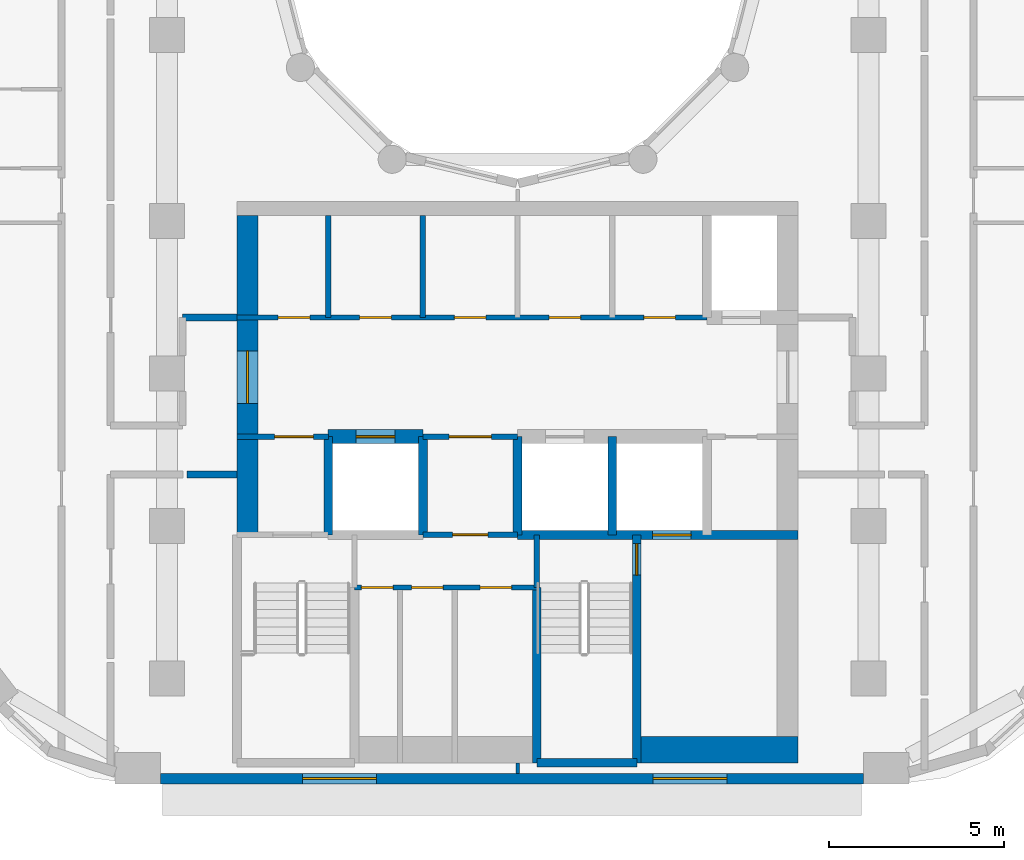
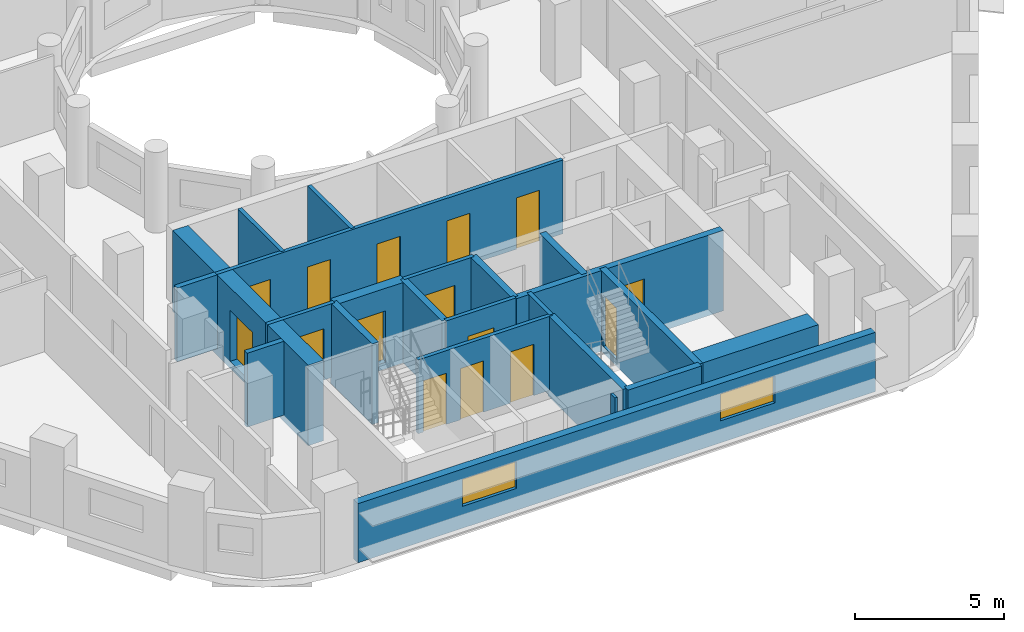
# One storey, part 3 of 14: 23 walls, 15 doors, 2 windows, 17 openings.
"""IFC4 building model written with IfcOpenShell, lengths in metres."""

from ifc_helpers import new_model, si_unit, direction, frame, frame_2d, origin, place, context, subcontext, project, spatial, rectangle, extrude, material, layer, layer_set, type_object, element, fill, save


model = new_model("IFC4")

# Units and contexts
model_context = context("Model", 3, precision=1e-05, world=origin(), true_north=direction((0.0, 1.0)))
body_context = subcontext(model_context, "Body", "Model", "MODEL_VIEW")
ifc_project = project(units=[si_unit("LENGTHUNIT", "METRE"), si_unit("AREAUNIT", "SQUARE_METRE"), si_unit("VOLUMEUNIT", "CUBIC_METRE"), si_unit("PLANEANGLEUNIT", "RADIAN"), si_unit("MASSUNIT", "GRAM", prefix="KILO")], contexts=[model_context])

# Site, building, storey
site_placement = place(None, origin())
site = spatial("IfcSite", under=ifc_project, at=site_placement, CompositionType="ELEMENT")
building_placement = place(site_placement, origin())
building = spatial("IfcBuilding", under=site, at=building_placement, Name="Nakaniwa Court", CompositionType="ELEMENT")
storey_placement = place(building_placement, frame((0.0, 0.0, 160.199951171875)))
storey = spatial("IfcBuildingStorey", under=building, at=storey_placement, Name="L42", CompositionType="ELEMENT", Elevation=160.199951171875)

# Walls
ifc_material_1 = material(Name="Acoustic double stud partition")
ifc_layer_1 = layer(ifc_material_1, 0.199951171875)
ifc_layer_set_1 = layer_set([ifc_layer_1], Name="Acoustic double stud partition")
wall_type_1 = type_object("IfcWallType", Name="Acoustic double stud partition 200", PredefinedType="PARTITIONING", material=ifc_layer_set_1)
wall_1_placement = place(storey_placement, frame((70.5771484375, 64.824951171875, 0.0), z_axis=(0.0, 0.0, 1.0), x_axis=(1.0, 0.0, 0.0)))
element("IfcWall", 1, at=wall_1_placement, inside=storey, type_object=wall_type_1, Name="Partition PW-082", PredefinedType="PARTITIONING", context=body_context, shape_type="SweptSolid", body=[
    extrude(rectangle(XDim=1.4228515625, YDim=0.199951171875, at=frame_2d((0.71142578125, 0.0))), origin(), (0.0, 0.0, 1.0), 3.025146484375),
])
wall_2_placement = place(storey_placement, frame((70.449951171875, 69.300048828125, 0.0), z_axis=(0.0, 0.0, 1.0), x_axis=(1.0, 0.0, 0.0)))
element("IfcWall", 2, at=wall_2_placement, inside=storey, type_object=wall_type_1, Name="Partition PW-086", PredefinedType="PARTITIONING", context=body_context, shape_type="SweptSolid", body=[
    extrude(rectangle(XDim=1.550048828125, YDim=0.199951171875, at=frame_2d((0.77490234375, 0.0))), origin(), (0.0, 0.0, 1.0), 3.025146484375),
])

# Wall, openings, windows
ifc_material_2 = material(Name="Charcoal ceramic cladding")
ifc_layer_2 = layer(ifc_material_2, 0.02, Name="Ceramic cladding")
ifc_material_3 = material(Name="Ventilated air cavity")
ifc_layer_3 = layer(ifc_material_3, 0.04, ventilated=True, Name="Ventilated cavity")
ifc_material_4 = material(Name="Mineral wool insulation")
ifc_layer_4 = layer(ifc_material_4, 0.1, Name="Insulation")
ifc_material_5 = material(Name="Cement bonded sheathing board")
ifc_layer_5 = layer(ifc_material_5, 0.012, Name="Sheathing")
ifc_material_6 = material(Name="Cold-formed galvanised stud frame with mineral wool infill")
ifc_layer_6 = layer(ifc_material_6, 0.1, Name="Stud frame")
ifc_material_7 = material(Name="Fire-rated gypsum plasterboard lining")
ifc_layer_7 = layer(ifc_material_7, 0.028, Name="Lining")
ifc_layer_set_2 = layer_set([ifc_layer_2, ifc_layer_3, ifc_layer_4, ifc_layer_5, ifc_layer_6, ifc_layer_7], Name="Charcoal ceramic faced external wall system")
wall_type_2 = type_object("IfcWallType", Name="Black ceramic faced external wall 300", PredefinedType="SOLIDWALL", material=ifc_layer_set_2)
wall_3_placement = place(storey_placement, frame((69.8212890625, 56.14990234375, 0.0), z_axis=(0.0, 0.0, 1.0), x_axis=(1.0, 0.0, 0.0)))
wall_3 = element("IfcWall", 3, at=wall_3_placement, inside=storey, type_object=wall_type_2, Name="L42 external wall 26", PredefinedType="SOLIDWALL", context=body_context, shape_type="SweptSolid", body=[
    extrude(rectangle(XDim=20.039794921875, YDim=0.300048828125, at=frame_2d((10.02001953125, 0.0))), origin(), (0.0, 0.0, 1.0), 2.425048828125),
])
opening_1_placement = place(wall_3_placement, frame((4.05126953125, 0.0, 0.89990234375)))
opening_1 = element("IfcOpeningElement", 4, at=opening_1_placement, cuts=wall_3, Name="Opening W7.23", PredefinedType="OPENING", context=body_context, shape_type="SweptSolid", body=[
    extrude(rectangle(XDim=2.10009765625, YDim=1.10009765625, at=frame_2d((1.050048828125, 0.550048828125))), frame((0.0, 0.159912109375, 0.0), z_axis=(0.0, -1.0, 0.0), x_axis=(1.0, 0.0, 0.0)), (0.0, 0.0, 1.0), 0.320068359375),
])
opening_2_placement = place(wall_3_placement, frame((14.047119140625, 0.0, 0.89990234375)))
opening_2 = element("IfcOpeningElement", 5, at=opening_2_placement, cuts=wall_3, Name="Opening W7.24", PredefinedType="OPENING", context=body_context, shape_type="SweptSolid", body=[
    extrude(rectangle(XDim=2.10009765625, YDim=1.10009765625, at=frame_2d((1.050048828125, 0.550048828125))), frame((0.0, 0.159912109375, 0.0), z_axis=(0.0, -1.0, 0.0), x_axis=(1.0, 0.0, 0.0)), (0.0, 0.0, 1.0), 0.320068359375),
])
ifc_material_8 = material(Name="Black anodised aluminium frame with dark low-E laminated double glazing", Category="aluminium")
window_type = type_object("IfcWindowType", Name="Dark glass window 2100x1100 sill 900", PartitioningType="SINGLE_PANEL", PredefinedType="WINDOW", material=ifc_material_8)
window_1_placement = place(opening_1_placement, origin())
window_1 = element("IfcWindow", 6, at=window_1_placement, inside=storey, type_object=window_type, Name="L42 habitable room window 26-0", OverallHeight=1.10009765625, OverallWidth=2.10009765625, PartitioningType="SINGLE_PANEL", PredefinedType="WINDOW", context=body_context, shape_type="SweptSolid", body=[
    extrude(rectangle(XDim=2.10009765625, YDim=1.10009765625, at=frame_2d((1.050048828125, 0.550048828125))), frame((0.0, 0.030029296875, 0.0), z_axis=(0.0, -1.0, 0.0), x_axis=(1.0, 0.0, 0.0)), (0.0, 0.0, 1.0), 0.06005859375),
])
fill(opening_1, window_1)
window_2_placement = place(opening_2_placement, origin())
window_2 = element("IfcWindow", 7, at=window_2_placement, inside=storey, type_object=window_type, Name="L42 habitable room window 26-1", OverallHeight=1.10009765625, OverallWidth=2.10009765625, PartitioningType="SINGLE_PANEL", PredefinedType="WINDOW", context=body_context, shape_type="SweptSolid", body=[
    extrude(rectangle(XDim=2.10009765625, YDim=1.10009765625, at=frame_2d((1.050048828125, 0.550048828125))), frame((0.0, 0.030029296875, 0.0), z_axis=(0.0, -1.0, 0.0), x_axis=(1.0, 0.0, 0.0)), (0.0, 0.0, 1.0), 0.06005859375),
])
fill(opening_2, window_2)

# Wall
ifc_material_9 = material(Name="Blockwork partition", Category="masonry")
ifc_layer_8 = layer(ifc_material_9, 0.14990234375)
ifc_layer_set_3 = layer_set([ifc_layer_8], Name="Blockwork partition")
wall_type_3 = type_object("IfcWallType", Name="Blockwork partition 150", PredefinedType="PARTITIONING", material=ifc_layer_set_3)
wall_4_placement = place(storey_placement, frame((74.60009765625, 69.300048828125, 0.0), z_axis=(0.0, 0.0, 1.0), x_axis=(0.0, 1.0, 0.0)))
element("IfcWall", 8, at=wall_4_placement, inside=storey, type_object=wall_type_3, Name="Partition PW-037", PredefinedType="PARTITIONING", context=body_context, shape_type="SweptSolid", body=[
    extrude(rectangle(XDim=2.89990234375, YDim=0.14990234375, at=frame_2d((1.449951171875, 0.0))), origin(), (0.0, 0.0, 1.0), 3.025146484375),
])

# Wall, openings, doors
wall_5_placement = place(storey_placement, frame((72.0, 69.300048828125, 0.0), z_axis=(0.0, 0.0, 1.0), x_axis=(1.0, 0.0, 0.0)))
wall_5 = element("IfcWall", 9, at=wall_5_placement, inside=storey, type_object=wall_type_3, Name="Partition PW-038", PredefinedType="PARTITIONING", context=body_context, shape_type="SweptSolid", body=[
    extrude(rectangle(XDim=13.39990234375, YDim=0.14990234375, at=frame_2d((6.699951171875, 0.0))), origin(), (0.0, 0.0, 1.0), 3.025146484375),
])
opening_3_placement = place(wall_5_placement, frame((1.175048828125, 0.0, 0.0)))
opening_3 = element("IfcOpeningElement", 10, at=opening_3_placement, cuts=wall_5, Name="Opening D-05-10", PredefinedType="OPENING", context=body_context, shape_type="SweptSolid", body=[
    extrude(rectangle(XDim=0.89990234375, YDim=2.10009765625, at=frame_2d((0.449951171875, 1.050048828125))), frame((0.0, 0.0849609375, 0.0), z_axis=(0.0, -1.0, 0.0), x_axis=(1.0, 0.0, 0.0)), (0.0, 0.0, 1.0), 0.169921875),
])
opening_4_placement = place(wall_5_placement, frame((3.5, 0.0, 0.0)))
opening_4 = element("IfcOpeningElement", 11, at=opening_4_placement, cuts=wall_5, Name="Opening D-05-11", PredefinedType="OPENING", context=body_context, shape_type="SweptSolid", body=[
    extrude(rectangle(XDim=0.89990234375, YDim=2.10009765625, at=frame_2d((0.449951171875, 1.050048828125))), frame((0.0, 0.0849609375, 0.0), z_axis=(0.0, -1.0, 0.0), x_axis=(1.0, 0.0, 0.0)), (0.0, 0.0, 1.0), 0.169921875),
])
opening_5_placement = place(wall_5_placement, frame((6.199951171875, 0.0, 0.0)))
opening_5 = element("IfcOpeningElement", 12, at=opening_5_placement, cuts=wall_5, Name="Opening D-05-12", PredefinedType="OPENING", context=body_context, shape_type="SweptSolid", body=[
    extrude(rectangle(XDim=0.89990234375, YDim=2.10009765625, at=frame_2d((0.449951171875, 1.050048828125))), frame((0.0, 0.0849609375, 0.0), z_axis=(0.0, -1.0, 0.0), x_axis=(1.0, 0.0, 0.0)), (0.0, 0.0, 1.0), 0.169921875),
])
opening_6_placement = place(wall_5_placement, frame((8.89990234375, 0.0, 0.0)))
opening_6 = element("IfcOpeningElement", 13, at=opening_6_placement, cuts=wall_5, Name="Opening D-05-13", PredefinedType="OPENING", context=body_context, shape_type="SweptSolid", body=[
    extrude(rectangle(XDim=0.89990234375, YDim=2.10009765625, at=frame_2d((0.449951171875, 1.050048828125))), frame((0.0, 0.0849609375, 0.0), z_axis=(0.0, -1.0, 0.0), x_axis=(1.0, 0.0, 0.0)), (0.0, 0.0, 1.0), 0.169921875),
])
opening_7_placement = place(wall_5_placement, frame((11.60009765625, 0.0, 0.0)))
opening_7 = element("IfcOpeningElement", 14, at=opening_7_placement, cuts=wall_5, Name="Opening D-05-14", PredefinedType="OPENING", context=body_context, shape_type="SweptSolid", body=[
    extrude(rectangle(XDim=0.89990234375, YDim=2.10009765625, at=frame_2d((0.449951171875, 1.050048828125))), frame((0.0, 0.0849609375, 0.0), z_axis=(0.0, -1.0, 0.0), x_axis=(1.0, 0.0, 0.0)), (0.0, 0.0, 1.0), 0.169921875),
])
ifc_material_10 = material(Name="Fire rated steel door set", Category="steel")
door_type_1 = type_object("IfcDoorType", Name="Service room door 900", OperationType="NOTDEFINED", PredefinedType="DOOR", material=ifc_material_10)
door_1_placement = place(opening_3_placement, origin())
door_1 = element("IfcDoor", 15, at=door_1_placement, inside=storey, type_object=door_type_1, Name="Door D-05-10 L42-015", OperationType="SINGLE_SWING_RIGHT", OverallHeight=2.10009765625, OverallWidth=0.89990234375, PredefinedType="DOOR", context=body_context, shape_type="SweptSolid", body=[
    extrude(rectangle(XDim=0.89990234375, YDim=2.10009765625, at=frame_2d((0.449951171875, 1.050048828125))), frame((0.0, 0.02490234375, 0.0), z_axis=(0.0, -1.0, 0.0), x_axis=(1.0, 0.0, 0.0)), (0.0, 0.0, 1.0), 0.050048828125),
])
fill(opening_3, door_1)
door_2_placement = place(opening_4_placement, origin())
door_2 = element("IfcDoor", 16, at=door_2_placement, inside=storey, type_object=door_type_1, Name="Door D-05-11 L42-016", OperationType="SINGLE_SWING_LEFT", OverallHeight=2.10009765625, OverallWidth=0.89990234375, PredefinedType="DOOR", context=body_context, shape_type="SweptSolid", body=[
    extrude(rectangle(XDim=0.89990234375, YDim=2.10009765625, at=frame_2d((0.449951171875, 1.050048828125))), frame((0.0, 0.02490234375, 0.0), z_axis=(0.0, -1.0, 0.0), x_axis=(1.0, 0.0, 0.0)), (0.0, 0.0, 1.0), 0.050048828125),
])
fill(opening_4, door_2)
door_3_placement = place(opening_5_placement, origin())
door_3 = element("IfcDoor", 17, at=door_3_placement, inside=storey, type_object=door_type_1, Name="Door D-05-12 L42-017", OperationType="SINGLE_SWING_RIGHT", OverallHeight=2.10009765625, OverallWidth=0.89990234375, PredefinedType="DOOR", context=body_context, shape_type="SweptSolid", body=[
    extrude(rectangle(XDim=0.89990234375, YDim=2.10009765625, at=frame_2d((0.449951171875, 1.050048828125))), frame((0.0, 0.02490234375, 0.0), z_axis=(0.0, -1.0, 0.0), x_axis=(1.0, 0.0, 0.0)), (0.0, 0.0, 1.0), 0.050048828125),
])
fill(opening_5, door_3)
door_4_placement = place(opening_6_placement, origin())
door_4 = element("IfcDoor", 18, at=door_4_placement, inside=storey, type_object=door_type_1, Name="Door D-05-13 L42-018", OperationType="SINGLE_SWING_LEFT", OverallHeight=2.10009765625, OverallWidth=0.89990234375, PredefinedType="DOOR", context=body_context, shape_type="SweptSolid", body=[
    extrude(rectangle(XDim=0.89990234375, YDim=2.10009765625, at=frame_2d((0.449951171875, 1.050048828125))), frame((0.0, 0.02490234375, 0.0), z_axis=(0.0, -1.0, 0.0), x_axis=(1.0, 0.0, 0.0)), (0.0, 0.0, 1.0), 0.050048828125),
])
fill(opening_6, door_4)
door_5_placement = place(opening_7_placement, origin())
door_5 = element("IfcDoor", 19, at=door_5_placement, inside=storey, type_object=door_type_1, Name="Door D-05-14 L42-019", OperationType="SINGLE_SWING_RIGHT", OverallHeight=2.10009765625, OverallWidth=0.89990234375, PredefinedType="DOOR", context=body_context, shape_type="SweptSolid", body=[
    extrude(rectangle(XDim=0.89990234375, YDim=2.10009765625, at=frame_2d((0.449951171875, 1.050048828125))), frame((0.0, 0.02490234375, 0.0), z_axis=(0.0, -1.0, 0.0), x_axis=(1.0, 0.0, 0.0)), (0.0, 0.0, 1.0), 0.050048828125),
])
fill(opening_7, door_5)

# Wall
wall_6_placement = place(storey_placement, frame((77.300048828125, 69.300048828125, 0.0), z_axis=(0.0, 0.0, 1.0), x_axis=(0.0, 1.0, 0.0)))
element("IfcWall", 20, at=wall_6_placement, inside=storey, type_object=wall_type_3, Name="Partition PW-044", PredefinedType="PARTITIONING", context=body_context, shape_type="SweptSolid", body=[
    extrude(rectangle(XDim=2.89990234375, YDim=0.14990234375, at=frame_2d((1.449951171875, 0.0))), origin(), (0.0, 0.0, 1.0), 3.025146484375),
])

# Wall, opening, door
wall_7_placement = place(storey_placement, frame((74.60302734375, 65.89990234375, 0.0), z_axis=(0.0, 0.0, 1.0), x_axis=(-1.0, 0.0, 0.0)))
wall_7 = element("IfcWall", 21, at=wall_7_placement, inside=storey, type_object=wall_type_3, Name="Partition PW-047", PredefinedType="PARTITIONING", context=body_context, shape_type="SweptSolid", body=[
    extrude(rectangle(XDim=2.60302734375, YDim=0.14990234375, at=frame_2d((1.301513671875, 0.0))), origin(), (0.0, 0.0, 1.0), 3.025146484375),
])
opening_8_placement = place(wall_7_placement, frame((0.427978515625, 0.0, 0.0)))
opening_8 = element("IfcOpeningElement", 22, at=opening_8_placement, cuts=wall_7, Name="Opening D-08-02", PredefinedType="OPENING", context=body_context, shape_type="SweptSolid", body=[
    extrude(rectangle(XDim=1.10009765625, YDim=2.10009765625, at=frame_2d((0.550048828125, 1.050048828125))), frame((0.0, 0.0849609375, 0.0), z_axis=(0.0, -1.0, 0.0), x_axis=(1.0, 0.0, 0.0)), (0.0, 0.0, 1.0), 0.169921875),
])
door_type_2 = type_object("IfcDoorType", Name="Stair lobby door 1100", OperationType="NOTDEFINED", PredefinedType="DOOR", material=ifc_material_10)
door_6_placement = place(opening_8_placement, origin())
door_6 = element("IfcDoor", 23, at=door_6_placement, inside=storey, type_object=door_type_2, Name="Door D-08-02 L42-020", OperationType="SINGLE_SWING_LEFT", OverallHeight=2.10009765625, OverallWidth=1.10009765625, PredefinedType="DOOR", context=body_context, shape_type="SweptSolid", body=[
    extrude(rectangle(XDim=1.10009765625, YDim=2.10009765625, at=frame_2d((0.550048828125, 1.050048828125))), frame((0.0, 0.02490234375, 0.0), z_axis=(0.0, -1.0, 0.0), x_axis=(1.0, 0.0, 0.0)), (0.0, 0.0, 1.0), 0.050048828125),
])
fill(opening_8, door_6)

wall_8_placement = place(storey_placement, frame((80.0029296875, 65.89990234375, 0.0), z_axis=(0.0, 0.0, 1.0), x_axis=(-1.0, 0.0, 0.0)))
wall_8 = element("IfcWall", 24, at=wall_8_placement, inside=storey, type_object=wall_type_3, Name="Partition PW-048", PredefinedType="PARTITIONING", context=body_context, shape_type="SweptSolid", body=[
    extrude(rectangle(XDim=2.705810546875, YDim=0.14990234375, at=frame_2d((1.35302734375, 0.0))), origin(), (0.0, 0.0, 1.0), 3.025146484375),
])
opening_9_placement = place(wall_8_placement, frame((0.7529296875, 0.0, 0.0)))
opening_9 = element("IfcOpeningElement", 25, at=opening_9_placement, cuts=wall_8, Name="Opening D-06-02", PredefinedType="OPENING", context=body_context, shape_type="SweptSolid", body=[
    extrude(rectangle(XDim=1.199951171875, YDim=2.10009765625, at=frame_2d((0.60009765625, 1.050048828125))), frame((0.0, 0.0849609375, 0.0), z_axis=(0.0, -1.0, 0.0), x_axis=(1.0, 0.0, 0.0)), (0.0, 0.0, 1.0), 0.169921875),
])
ifc_material_11 = material(Name="Fire rated steel double door set", Category="steel")
door_type_3 = type_object("IfcDoorType", Name="Service passage double door 1200", OperationType="NOTDEFINED", PredefinedType="DOOR", material=ifc_material_11)
door_7_placement = place(opening_9_placement, origin())
door_7 = element("IfcDoor", 26, at=door_7_placement, inside=storey, type_object=door_type_3, Name="Door D-06-02 L42-021", OperationType="DOUBLE_DOOR_SINGLE_SWING", OverallHeight=2.10009765625, OverallWidth=1.199951171875, PredefinedType="DOOR", context=body_context, shape_type="SweptSolid", body=[
    extrude(rectangle(XDim=1.199951171875, YDim=2.10009765625, at=frame_2d((0.60009765625, 1.050048828125))), frame((0.0, 0.02490234375, 0.0), z_axis=(0.0, -1.0, 0.0), x_axis=(1.0, 0.0, 0.0)), (0.0, 0.0, 1.0), 0.050048828125),
])
fill(opening_9, door_7)

wall_9_placement = place(storey_placement, frame((80.0, 63.10009765625, 0.0), z_axis=(0.0, 0.0, 1.0), x_axis=(-1.0, 0.0, 0.0)))
wall_9 = element("IfcWall", 27, at=wall_9_placement, inside=storey, type_object=wall_type_3, Name="Partition PW-058", PredefinedType="PARTITIONING", context=body_context, shape_type="SweptSolid", body=[
    extrude(rectangle(XDim=2.699951171875, YDim=0.14990234375, at=frame_2d((1.35009765625, 0.0))), origin(), (0.0, 0.0, 1.0), 3.025146484375),
])
opening_10_placement = place(wall_9_placement, frame((0.85009765625, 0.0, 0.0)))
opening_10 = element("IfcOpeningElement", 28, at=opening_10_placement, cuts=wall_9, Name="Opening D-23-02", PredefinedType="OPENING", context=body_context, shape_type="SweptSolid", body=[
    extrude(rectangle(XDim=1.0, YDim=2.10009765625, at=frame_2d((0.5, 1.050048828125))), frame((0.0, 0.0849609375, 0.0), z_axis=(0.0, -1.0, 0.0), x_axis=(1.0, 0.0, 0.0)), (0.0, 0.0, 1.0), 0.169921875),
])
door_type_4 = type_object("IfcDoorType", Name="Service room door 1000", OperationType="NOTDEFINED", PredefinedType="DOOR", material=ifc_material_10)
door_8_placement = place(opening_10_placement, origin())
door_8 = element("IfcDoor", 29, at=door_8_placement, inside=storey, type_object=door_type_4, Name="Door D-23-02 L42-023", OperationType="SINGLE_SWING_RIGHT", OverallHeight=2.10009765625, OverallWidth=1.0, PredefinedType="DOOR", context=body_context, shape_type="SweptSolid", body=[
    extrude(rectangle(XDim=1.0, YDim=2.10009765625, at=frame_2d((0.5, 1.050048828125))), frame((0.0, 0.02490234375, 0.0), z_axis=(0.0, -1.0, 0.0), x_axis=(1.0, 0.0, 0.0)), (0.0, 0.0, 1.0), 0.050048828125),
])
fill(opening_10, door_8)

# Wall, openings, doors
wall_10_placement = place(storey_placement, frame((80.550048828125, 61.60009765625, 0.0), z_axis=(0.0, 0.0, 1.0), x_axis=(-1.0, 0.0, 0.0)))
wall_10 = element("IfcWall", 30, at=wall_10_placement, inside=storey, type_object=wall_type_3, Name="Partition PW-070", PredefinedType="PARTITIONING", context=body_context, shape_type="SweptSolid", body=[
    extrude(rectangle(XDim=5.199951171875, YDim=0.14990234375, at=frame_2d((2.60009765625, 0.0))), origin(), (0.0, 0.0, 1.0), 3.025146484375),
])
opening_11_placement = place(wall_10_placement, frame((4.10009765625, 0.0, 0.0)))
opening_11 = element("IfcOpeningElement", 31, at=opening_11_placement, cuts=wall_10, Name="Opening D-05-16", PredefinedType="OPENING", context=body_context, shape_type="SweptSolid", body=[
    extrude(rectangle(XDim=0.89990234375, YDim=2.10009765625, at=frame_2d((0.449951171875, 1.050048828125))), frame((0.0, 0.0849609375, 0.0), z_axis=(0.0, -1.0, 0.0), x_axis=(1.0, 0.0, 0.0)), (0.0, 0.0, 1.0), 0.169921875),
])
opening_12_placement = place(wall_10_placement, frame((2.669921875, 0.0, 0.0)))
opening_12 = element("IfcOpeningElement", 32, at=opening_12_placement, cuts=wall_10, Name="Opening D-05-17", PredefinedType="OPENING", context=body_context, shape_type="SweptSolid", body=[
    extrude(rectangle(XDim=0.89990234375, YDim=2.10009765625, at=frame_2d((0.449951171875, 1.050048828125))), frame((0.0, 0.0849609375, 0.0), z_axis=(0.0, -1.0, 0.0), x_axis=(1.0, 0.0, 0.0)), (0.0, 0.0, 1.0), 0.169921875),
])
opening_13_placement = place(wall_10_placement, frame((0.719970703125, 0.0, 0.0)))
opening_13 = element("IfcOpeningElement", 33, at=opening_13_placement, cuts=wall_10, Name="Opening D-05-18", PredefinedType="OPENING", context=body_context, shape_type="SweptSolid", body=[
    extrude(rectangle(XDim=0.89990234375, YDim=2.10009765625, at=frame_2d((0.449951171875, 1.050048828125))), frame((0.0, 0.0849609375, 0.0), z_axis=(0.0, -1.0, 0.0), x_axis=(1.0, 0.0, 0.0)), (0.0, 0.0, 1.0), 0.169921875),
])
door_9_placement = place(opening_11_placement, origin())
door_9 = element("IfcDoor", 34, at=door_9_placement, inside=storey, type_object=door_type_1, Name="Door D-05-16 L42-024", OperationType="SINGLE_SWING_LEFT", OverallHeight=2.10009765625, OverallWidth=0.89990234375, PredefinedType="DOOR", context=body_context, shape_type="SweptSolid", body=[
    extrude(rectangle(XDim=0.89990234375, YDim=2.10009765625, at=frame_2d((0.449951171875, 1.050048828125))), frame((0.0, 0.02490234375, 0.0), z_axis=(0.0, -1.0, 0.0), x_axis=(1.0, 0.0, 0.0)), (0.0, 0.0, 1.0), 0.050048828125),
])
fill(opening_11, door_9)
door_10_placement = place(opening_12_placement, origin())
door_10 = element("IfcDoor", 35, at=door_10_placement, inside=storey, type_object=door_type_1, Name="Door D-05-17 L42-025", OperationType="SINGLE_SWING_RIGHT", OverallHeight=2.10009765625, OverallWidth=0.89990234375, PredefinedType="DOOR", context=body_context, shape_type="SweptSolid", body=[
    extrude(rectangle(XDim=0.89990234375, YDim=2.10009765625, at=frame_2d((0.449951171875, 1.050048828125))), frame((0.0, 0.02490234375, 0.0), z_axis=(0.0, -1.0, 0.0), x_axis=(1.0, 0.0, 0.0)), (0.0, 0.0, 1.0), 0.050048828125),
])
fill(opening_12, door_10)
door_11_placement = place(opening_13_placement, origin())
door_11 = element("IfcDoor", 36, at=door_11_placement, inside=storey, type_object=door_type_1, Name="Door D-05-18 L42-026", OperationType="SINGLE_SWING_LEFT", OverallHeight=2.10009765625, OverallWidth=0.89990234375, PredefinedType="DOOR", context=body_context, shape_type="SweptSolid", body=[
    extrude(rectangle(XDim=0.89990234375, YDim=2.10009765625, at=frame_2d((0.449951171875, 1.050048828125))), frame((0.0, 0.02490234375, 0.0), z_axis=(0.0, -1.0, 0.0), x_axis=(1.0, 0.0, 0.0)), (0.0, 0.0, 1.0), 0.050048828125),
])
fill(opening_13, door_11)

# Wall, opening, door
ifc_material_12 = material(Name="Concrete C80/100", Category="concrete")
ifc_layer_9 = layer(ifc_material_12, 0.60009765625)
ifc_layer_set_4 = layer_set([ifc_layer_9], Name="Concrete C80/100")
wall_type_4 = type_object("IfcWallType", Name="Concrete core side wall 600 C80", PredefinedType="SHEAR", material=ifc_layer_set_4)
wall_11_placement = place(storey_placement, frame((72.300048828125, 63.10009765625, -0.27490234375), z_axis=(0.0, 0.0, 1.0), x_axis=(0.0, 1.0, 0.0)))
wall_11 = element("IfcWall", 37, at=wall_11_placement, inside=storey, type_object=wall_type_4, Name="Core wall SW-39", PredefinedType="SHEAR", context=body_context, shape_type="SweptSolid", body=[
    extrude(rectangle(XDim=9.099853515625, YDim=0.60009765625, at=frame_2d((4.5498046875, 0.0))), origin(), (0.0, 0.0, 1.0), 3.300048828125),
])
opening_14_placement = place(wall_11_placement, frame((3.748046875, 0.0, 0.27490234375)))
opening_14 = element("IfcOpeningElement", 38, at=opening_14_placement, cuts=wall_11, Name="Opening D-07-04", PredefinedType="OPENING", context=body_context, shape_type="SweptSolid", body=[
    extrude(rectangle(XDim=1.5, YDim=2.10009765625, at=frame_2d((0.75, 1.050048828125))), frame((0.0, 0.31005859375, 0.0), z_axis=(0.0, -1.0, 0.0), x_axis=(1.0, 0.0, 0.0)), (0.0, 0.0, 1.0), 0.6201171875),
])
ifc_material_13 = material(Name="Glazed fire rated steel double door set", Category="steel")
door_type_5 = type_object("IfcDoorType", Name="Lobby double door 1500", OperationType="NOTDEFINED", PredefinedType="DOOR", material=ifc_material_13)
door_12_placement = place(opening_14_placement, origin())
door_12 = element("IfcDoor", 39, at=door_12_placement, inside=storey, type_object=door_type_5, Name="Door D-07-04 L42-061", OperationType="DOUBLE_DOOR_SINGLE_SWING", OverallHeight=2.10009765625, OverallWidth=1.5, PredefinedType="DOOR", context=body_context, shape_type="SweptSolid", body=[
    extrude(rectangle(XDim=1.5, YDim=2.10009765625, at=frame_2d((0.75, 1.050048828125))), frame((0.0, 0.02490234375, 0.0), z_axis=(0.0, -1.0, 0.0), x_axis=(1.0, 0.0, 0.0)), (0.0, 0.0, 1.0), 0.050048828125),
])
fill(opening_14, door_12)

ifc_layer_10 = layer(ifc_material_12, 0.39990234375)
ifc_layer_set_5 = layer_set([ifc_layer_10], Name="Concrete C80/100")
wall_type_5 = type_object("IfcWallType", Name="Concrete core spine wall 400 C80", PredefinedType="SHEAR", material=ifc_layer_set_5)
wall_12_placement = place(storey_placement, frame((74.596923828125, 65.89990234375, -0.27490234375), z_axis=(0.0, 0.0, 1.0), x_axis=(1.0, 0.0, 0.0)))
wall_12 = element("IfcWall", 40, at=wall_12_placement, inside=storey, type_object=wall_type_5, Name="Core wall SW-50", PredefinedType="SHEAR", context=body_context, shape_type="SweptSolid", body=[
    extrude(rectangle(XDim=2.7060546875, YDim=0.39990234375, at=frame_2d((1.35302734375, 0.0))), origin(), (0.0, 0.0, 1.0), 3.300048828125),
])
opening_15_placement = place(wall_12_placement, frame((0.802978515625, 0.0, 0.27490234375)))
opening_15 = element("IfcOpeningElement", 41, at=opening_15_placement, cuts=wall_12, Name="Opening LD06", PredefinedType="OPENING", context=body_context, shape_type="SweptSolid", body=[
    extrude(rectangle(XDim=1.10009765625, YDim=2.10009765625, at=frame_2d((0.550048828125, 1.050048828125))), frame((0.0, 0.2099609375, 0.0), z_axis=(0.0, -1.0, 0.0), x_axis=(1.0, 0.0, 0.0)), (0.0, 0.0, 1.0), 0.419921875),
])
ifc_material_14 = material(Name="Stainless steel sliding lift landing door", Category="steel")
door_type_6 = type_object("IfcDoorType", Name="Lift landing door 1100", OperationType="NOTDEFINED", PredefinedType="DOOR", material=ifc_material_14)
door_13_placement = place(opening_15_placement, origin())
door_13 = element("IfcDoor", 42, at=door_13_placement, inside=storey, type_object=door_type_6, Name="Lift landing door LD06 L42-006", OperationType="SLIDING_TO_LEFT", OverallHeight=2.10009765625, OverallWidth=1.10009765625, PredefinedType="DOOR", context=body_context, shape_type="SweptSolid", body=[
    extrude(rectangle(XDim=1.10009765625, YDim=2.10009765625, at=frame_2d((0.550048828125, 1.050048828125))), frame((0.0, 0.02490234375, 0.0), z_axis=(0.0, -1.0, 0.0), x_axis=(1.0, 0.0, 0.0)), (0.0, 0.0, 1.0), 0.050048828125),
])
fill(opening_15, door_13)

# Walls
ifc_layer_11 = layer(ifc_material_12, 0.14990234375)
ifc_layer_set_6 = layer_set([ifc_layer_11], Name="Concrete C80/100")
wall_type_6 = type_object("IfcWallType", Name="Concrete core wall 150 C80", PredefinedType="SHEAR", material=ifc_layer_set_6)
wall_13_placement = place(storey_placement, frame((80.550048828125, 61.596923828125, -0.27490234375), z_axis=(0.0, 0.0, 1.0), x_axis=(0.0, 1.0, 0.0)))
element("IfcWall", 43, at=wall_13_placement, inside=storey, type_object=wall_type_6, Name="Core wall SW-66", PredefinedType="SHEAR", context=body_context, shape_type="SweptSolid", body=[
    extrude(rectangle(XDim=1.503173828125, YDim=0.14990234375, at=frame_2d((0.75146484375, 0.0))), origin(), (0.0, 0.0, 1.0), 3.300048828125),
])
ifc_layer_12 = layer(ifc_material_12, 0.25)
ifc_layer_set_7 = layer_set([ifc_layer_12], Name="Concrete C80/100")
wall_type_7 = type_object("IfcWallType", Name="Concrete core wall 250 C80", PredefinedType="SHEAR", material=ifc_layer_set_7)
wall_14_placement = place(storey_placement, frame((80.550048828125, 56.60009765625, -0.27490234375), z_axis=(0.0, 0.0, 1.0), x_axis=(1.0, 0.0, 0.0)))
element("IfcWall", 44, at=wall_14_placement, inside=storey, type_object=wall_type_7, Name="Core wall SW-64", PredefinedType="SHEAR", context=body_context, shape_type="SweptSolid", body=[
    extrude(rectangle(XDim=2.849853515625, YDim=0.25, at=frame_2d((1.4248046875, 0.0))), origin(), (0.0, 0.0, 1.0), 3.300048828125),
])
ifc_layer_13 = layer(ifc_material_12, 0.75)
ifc_layer_set_8 = layer_set([ifc_layer_13], Name="Concrete C80/100")
wall_type_8 = type_object("IfcWallType", Name="Concrete core wall 750 C80", PredefinedType="SHEAR", material=ifc_layer_set_8)
wall_15_placement = place(storey_placement, frame((83.39990234375, 56.97509765625, -0.27490234375), z_axis=(0.0, 0.0, 1.0), x_axis=(1.0, 0.0, 0.0)))
element("IfcWall", 45, at=wall_15_placement, inside=storey, type_object=wall_type_8, Name="Core wall SW-69", PredefinedType="SHEAR", context=body_context, shape_type="SweptSolid", body=[
    extrude(rectangle(XDim=4.60009765625, YDim=0.75, at=frame_2d((2.300048828125, 0.0))), origin(), (0.0, 0.0, 1.0), 3.300048828125),
])
ifc_layer_14 = layer(ifc_material_12, 0.25)
ifc_layer_set_9 = layer_set([ifc_layer_14], Name="Concrete C80/100")
wall_type_9 = type_object("IfcWallType", Name="Concrete shaft wall 250 C80", PredefinedType="SHEAR", material=ifc_layer_set_9)
for number, where, z_axis, x_axis, name in (
    (46, (74.60009765625, 63.10009765625, -0.27490234375), (0.0, 0.0, 1.0), (0.0, 1.0, 0.0), "Core wall SW-52"),
    (47, (77.300048828125, 63.10009765625, -0.27490234375), (0.0, 0.0, 1.0), (0.0, 1.0, 0.0), "Core wall SW-54"),
):
    element("IfcWall", number, at=place(storey_placement, frame(where, z_axis=z_axis, x_axis=x_axis)), inside=storey, type_object=wall_type_9, Name=name, PredefinedType="SHEAR", context=body_context, shape_type="SweptSolid", body=[
        extrude(rectangle(XDim=2.7998046875, YDim=0.25, at=frame_2d((1.39990234375, 0.0))), origin(), (0.0, 0.0, 1.0), 3.300048828125),
    ])

# Wall, opening, door
wall_16_placement = place(storey_placement, frame((80.0, 63.10009765625, -0.27490234375), z_axis=(0.0, 0.0, 1.0), x_axis=(1.0, 0.0, 0.0)))
wall_16 = element("IfcWall", 48, at=wall_16_placement, inside=storey, type_object=wall_type_9, Name="Core wall SW-56", PredefinedType="SHEAR", context=body_context, shape_type="SweptSolid", body=[
    extrude(rectangle(XDim=8.0, YDim=0.25, at=frame_2d((4.0, 0.0))), origin(), (0.0, 0.0, 1.0), 3.300048828125),
])
opening_16_placement = place(wall_16_placement, frame((3.84912109375, 0.0, 0.27490234375)))
opening_16 = element("IfcOpeningElement", 49, at=opening_16_placement, cuts=wall_16, Name="Opening LD08", PredefinedType="OPENING", context=body_context, shape_type="SweptSolid", body=[
    extrude(rectangle(XDim=1.10009765625, YDim=2.10009765625, at=frame_2d((0.550048828125, 1.050048828125))), frame((0.0, 0.135009765625, 0.0), z_axis=(0.0, -1.0, 0.0), x_axis=(1.0, 0.0, 0.0)), (0.0, 0.0, 1.0), 0.27001953125),
])
door_14_placement = place(opening_16_placement, origin())
door_14 = element("IfcDoor", 50, at=door_14_placement, inside=storey, type_object=door_type_6, Name="Lift landing door LD08 L42-008", OperationType="SLIDING_TO_LEFT", OverallHeight=2.10009765625, OverallWidth=1.10009765625, PredefinedType="DOOR", context=body_context, shape_type="SweptSolid", body=[
    extrude(rectangle(XDim=1.10009765625, YDim=2.10009765625, at=frame_2d((0.550048828125, 1.050048828125))), frame((0.0, 0.02490234375, 0.0), z_axis=(0.0, -1.0, 0.0), x_axis=(1.0, 0.0, 0.0)), (0.0, 0.0, 1.0), 0.050048828125),
])
fill(opening_16, door_14)

# Walls
for number, where, z_axis, x_axis, name in (
    (51, (80.0, 63.10009765625, -0.27490234375), (0.0, 0.0, 1.0), (0.0, 1.0, 0.0), "Core wall SW-57"),
    (52, (82.699951171875, 63.10009765625, -0.27490234375), (0.0, 0.0, 1.0), (0.0, 1.0, 0.0), "Core wall SW-59"),
):
    element("IfcWall", number, at=place(storey_placement, frame(where, z_axis=z_axis, x_axis=x_axis)), inside=storey, type_object=wall_type_9, Name=name, PredefinedType="SHEAR", context=body_context, shape_type="SweptSolid", body=[
        extrude(rectangle(XDim=2.7998046875, YDim=0.25, at=frame_2d((1.39990234375, 0.0))), origin(), (0.0, 0.0, 1.0), 3.300048828125),
    ])

# Wall, opening, door
wall_17_placement = place(storey_placement, frame((83.39990234375, 63.10009765625, -0.27490234375), z_axis=(0.0, 0.0, 1.0), x_axis=(0.0, -1.0, 0.0)))
wall_17 = element("IfcWall", 53, at=wall_17_placement, inside=storey, type_object=wall_type_9, Name="Core wall SW-65", PredefinedType="SHEAR", context=body_context, shape_type="SweptSolid", body=[
    extrude(rectangle(XDim=6.5, YDim=0.25, at=frame_2d((3.25, 0.0))), origin(), (0.0, 0.0, 1.0), 3.300048828125),
])
opening_17_placement = place(wall_17_placement, frame((0.25, 0.0, 0.27490234375)))
opening_17 = element("IfcOpeningElement", 54, at=opening_17_placement, cuts=wall_17, Name="Opening D-11-02", PredefinedType="OPENING", context=body_context, shape_type="SweptSolid", body=[
    extrude(rectangle(XDim=0.89990234375, YDim=2.10009765625, at=frame_2d((0.449951171875, 1.050048828125))), frame((0.0, 0.135009765625, 0.0), z_axis=(0.0, -1.0, 0.0), x_axis=(1.0, 0.0, 0.0)), (0.0, 0.0, 1.0), 0.27001953125),
])
door_type_7 = type_object("IfcDoorType", Name="Stair door 900", OperationType="NOTDEFINED", PredefinedType="DOOR", material=ifc_material_10)
door_15_placement = place(opening_17_placement, origin())
door_15 = element("IfcDoor", 55, at=door_15_placement, inside=storey, type_object=door_type_7, Name="Door D-11-02 L42-028", OperationType="SINGLE_SWING_RIGHT", OverallHeight=2.10009765625, OverallWidth=0.89990234375, PredefinedType="DOOR", context=body_context, shape_type="SweptSolid", body=[
    extrude(rectangle(XDim=0.89990234375, YDim=2.10009765625, at=frame_2d((0.449951171875, 1.050048828125))), frame((0.0, 0.02490234375, 0.0), z_axis=(0.0, -1.0, 0.0), x_axis=(1.0, 0.0, 0.0)), (0.0, 0.0, 1.0), 0.050048828125),
])
fill(opening_17, door_15)

# Walls
wall_18_placement = place(storey_placement, frame((80.550048828125, 56.60009765625, -0.27490234375), z_axis=(0.0, 0.0, 1.0), x_axis=(0.0, 1.0, 0.0)))
element("IfcWall", 56, at=wall_18_placement, inside=storey, type_object=wall_type_9, Name="Core wall SW-67", PredefinedType="SHEAR", context=body_context, shape_type="SweptSolid", body=[
    extrude(rectangle(XDim=5.0029296875, YDim=0.25, at=frame_2d((2.50146484375, 0.0))), origin(), (0.0, 0.0, 1.0), 3.300048828125),
])
ifc_material_15 = material(Name="Single stud plasterboard partition")
ifc_layer_15 = layer(ifc_material_15, 0.10009765625)
ifc_layer_set_10 = layer_set([ifc_layer_15], Name="Single stud plasterboard partition")
wall_type_10 = type_object("IfcWallType", Name="Single stud plasterboard partition 100", PredefinedType="PARTITIONING", material=ifc_layer_set_10)
wall_19_placement = place(storey_placement, frame((80.0, 56.300048828125, 0.0), z_axis=(0.0, 0.0, 1.0), x_axis=(0.0, 1.0, 0.0)))
element("IfcWall", 57, at=wall_19_placement, inside=storey, type_object=wall_type_10, Name="Partition PW-115", PredefinedType="PARTITIONING", context=body_context, shape_type="SweptSolid", body=[
    extrude(rectangle(XDim=0.300048828125, YDim=0.10009765625, at=frame_2d((0.14990234375, 0.0))), origin(), (0.0, 0.0, 1.0), 3.025146484375),
])

save(model, "model.ifc")
